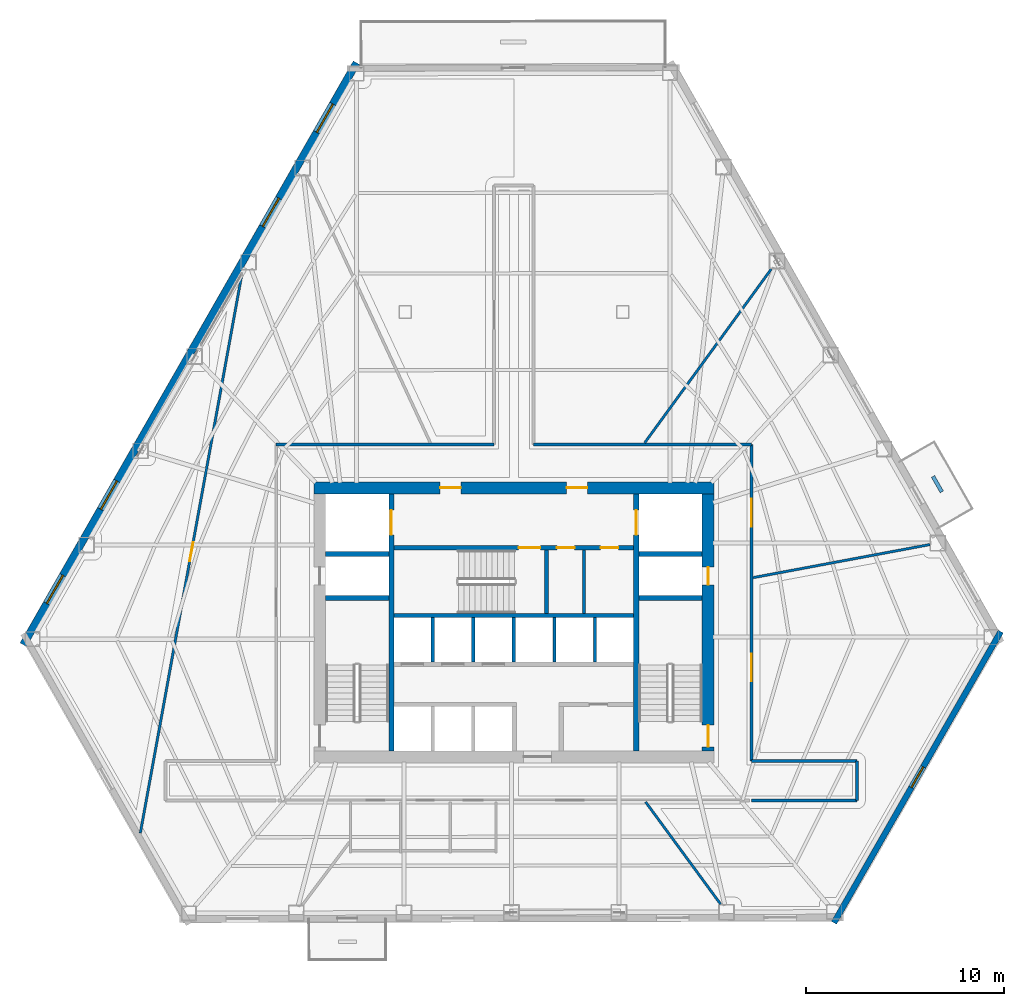
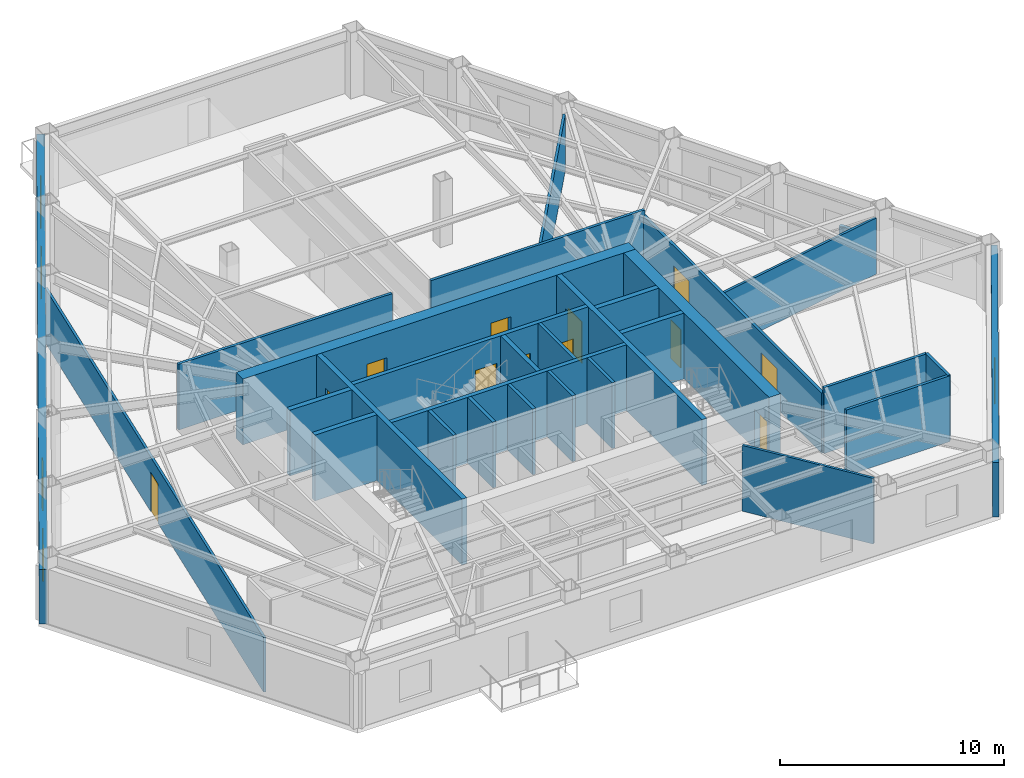
# One storey, part 9 of 14: 30 walls, 12 doors, 5 windows, 17 openings.
"""IFC4 building model written with IfcOpenShell, lengths in metres."""

from ifc_helpers import new_model, si_unit, direction, frame, frame_2d, origin, place, context, subcontext, project, spatial, rectangle, extrude, material, layer, layer_set, type_object, element, fill, save


model = new_model("IFC4")

# Units and contexts
model_context = context("Model", 3, precision=1e-05, world=origin(), true_north=direction((0.0, 1.0)))
body_context = subcontext(model_context, "Body", "Model", "MODEL_VIEW")
ifc_project = project(units=[si_unit("LENGTHUNIT", "METRE"), si_unit("AREAUNIT", "SQUARE_METRE"), si_unit("VOLUMEUNIT", "CUBIC_METRE"), si_unit("PLANEANGLEUNIT", "RADIAN"), si_unit("MASSUNIT", "GRAM", prefix="KILO")], contexts=[model_context])

# Site, building, storey
site_placement = place(None, origin())
site = spatial("IfcSite", under=ifc_project, at=site_placement, CompositionType="ELEMENT")
building_placement = place(site_placement, origin())
building = spatial("IfcBuilding", under=site, at=building_placement, Name="Kavelnor Concourse Tower", CompositionType="ELEMENT")
storey_placement = place(building_placement, frame((0.0, 0.0, 17.550048828125)))
storey = spatial("IfcBuildingStorey", under=building, at=storey_placement, Name="L04", CompositionType="ELEMENT", Elevation=17.550048828125)

# Wall, openings, doors
ifc_material_1 = material(Name="Concrete C60/75", Category="concrete")
ifc_layer_1 = layer(ifc_material_1, 0.60009765625, Name="Concrete C60/75")
ifc_layer_set_1 = layer_set([ifc_layer_1], Name="Concrete C60/75")
wall_type_1 = type_object("IfcWallType", Name="WL-CORE-Z1-600", PredefinedType="SOLIDWALL", material=ifc_layer_set_1)
wall_1_placement = place(storey_placement, frame((27.8798828125, 22.89990234375, 0.0), z_axis=(0.0, 0.0, 1.0), x_axis=(1.0, 0.0, 0.0)))
wall_1 = element("IfcWall", 1, at=wall_1_placement, inside=storey, type_object=wall_type_1, Name="L04 Central Core North Shear Wall", PredefinedType="SOLIDWALL", context=body_context, shape_type="SweptSolid", body=[
    extrude(rectangle(XDim=20.240234375, YDim=0.60009765625, at=frame_2d((10.1201171875, 0.0))), origin(), (0.0, 0.0, 1.0), 3.58984375),
])
opening_1_placement = place(wall_1_placement, frame((6.39501953125, 0.0, 0.0)))
opening_1 = element("IfcOpeningElement", 2, at=opening_1_placement, cuts=wall_1, Name="Opening FD-105", PredefinedType="OPENING", context=body_context, shape_type="SweptSolid", body=[
    extrude(rectangle(XDim=1.050048828125, YDim=2.14990234375, at=frame_2d((0.52490234375, 1.074951171875))), frame((0.0, 0.31005859375, 0.0), z_axis=(0.0, -1.0, 0.0), x_axis=(1.0, 0.0, 0.0)), (0.0, 0.0, 1.0), 0.6201171875),
])
opening_2_placement = place(wall_1_placement, frame((12.794921875, 0.0, 0.0)))
opening_2 = element("IfcOpeningElement", 3, at=opening_2_placement, cuts=wall_1, Name="Opening FD-105", PredefinedType="OPENING", context=body_context, shape_type="SweptSolid", body=[
    extrude(rectangle(XDim=1.050048828125, YDim=2.14990234375, at=frame_2d((0.52490234375, 1.074951171875))), frame((0.0, 0.31005859375, 0.0), z_axis=(0.0, -1.0, 0.0), x_axis=(1.0, 0.0, 0.0)), (0.0, 0.0, 1.0), 0.6201171875),
])
ifc_material_2 = material(Name="Steel Grade 350", Category="steel")
door_type_1 = type_object("IfcDoorType", Name="DR-LOBBY-FIRE-1050", OperationType="NOTDEFINED", PredefinedType="DOOR", material=ifc_material_2)
door_1_placement = place(opening_1_placement, origin())
door_1 = element("IfcDoor", 4, at=door_1_placement, inside=storey, type_object=door_type_1, Name="L04 Emergency Lift Lobby West Door", OperationType="SINGLE_SWING_LEFT", OverallHeight=2.14990234375, OverallWidth=1.050048828125, PredefinedType="DOOR", context=body_context, shape_type="SweptSolid", body=[
    extrude(rectangle(XDim=1.050048828125, YDim=2.14990234375, at=frame_2d((0.52490234375, 1.074951171875))), frame((0.0, 0.02490234375, 0.0), z_axis=(0.0, -1.0, 0.0), x_axis=(1.0, 0.0, 0.0)), (0.0, 0.0, 1.0), 0.050048828125),
])
fill(opening_1, door_1)
door_2_placement = place(opening_2_placement, origin())
door_2 = element("IfcDoor", 5, at=door_2_placement, inside=storey, type_object=door_type_1, Name="L04 Emergency Lift Lobby East Door", OperationType="SINGLE_SWING_RIGHT", OverallHeight=2.14990234375, OverallWidth=1.050048828125, PredefinedType="DOOR", context=body_context, shape_type="SweptSolid", body=[
    extrude(rectangle(XDim=1.050048828125, YDim=2.14990234375, at=frame_2d((0.52490234375, 1.074951171875))), frame((0.0, 0.02490234375, 0.0), z_axis=(0.0, -1.0, 0.0), x_axis=(1.0, 0.0, 0.0)), (0.0, 0.0, 1.0), 0.050048828125),
])
fill(opening_2, door_2)

wall_2_placement = place(storey_placement, frame((47.820068359375, 9.60009765625, 0.0), z_axis=(0.0, 0.0, 1.0), x_axis=(0.0, 1.0, 0.0)))
wall_2 = element("IfcWall", 6, at=wall_2_placement, inside=storey, type_object=wall_type_1, Name="L04 Central Core East Shear Wall", PredefinedType="SOLIDWALL", context=body_context, shape_type="SweptSolid", body=[
    extrude(rectangle(XDim=13.0, YDim=0.60009765625, at=frame_2d((6.5, 0.0))), origin(), (0.0, 0.0, 1.0), 3.58984375),
])
opening_3_placement = place(wall_2_placement, frame((0.199951171875, 0.0, 0.0)))
opening_3 = element("IfcOpeningElement", 7, at=opening_3_placement, cuts=wall_2, Name="Opening FD-110", PredefinedType="OPENING", context=body_context, shape_type="SweptSolid", body=[
    extrude(rectangle(XDim=1.10009765625, YDim=2.14990234375, at=frame_2d((0.550048828125, 1.074951171875))), frame((0.0, 0.31005859375, 0.0), z_axis=(0.0, -1.0, 0.0), x_axis=(1.0, 0.0, 0.0)), (0.0, 0.0, 1.0), 0.6201171875),
])
opening_4_placement = place(wall_2_placement, frame((8.39990234375, 0.0, 0.0)))
opening_4 = element("IfcOpeningElement", 8, at=opening_4_placement, cuts=wall_2, Name="Opening FD-090", PredefinedType="OPENING", context=body_context, shape_type="SweptSolid", body=[
    extrude(rectangle(XDim=0.89990234375, YDim=2.10009765625, at=frame_2d((0.449951171875, 1.050048828125))), frame((0.0, 0.31005859375, 0.0), z_axis=(0.0, -1.0, 0.0), x_axis=(1.0, 0.0, 0.0)), (0.0, 0.0, 1.0), 0.6201171875),
])
door_type_2 = type_object("IfcDoorType", Name="DR-RISER-FIRE-900", OperationType="NOTDEFINED", PredefinedType="DOOR", material=ifc_material_2)
door_3_placement = place(opening_4_placement, origin())
door_3 = element("IfcDoor", 9, at=door_3_placement, inside=storey, type_object=door_type_2, Name="L04 East Riser Access Door", OperationType="SINGLE_SWING_LEFT", OverallHeight=2.10009765625, OverallWidth=0.89990234375, PredefinedType="DOOR", context=body_context, shape_type="SweptSolid", body=[
    extrude(rectangle(XDim=0.89990234375, YDim=2.10009765625, at=frame_2d((0.449951171875, 1.050048828125))), frame((0.0, 0.02490234375, 0.0), z_axis=(0.0, -1.0, 0.0), x_axis=(1.0, 0.0, 0.0)), (0.0, 0.0, 1.0), 0.050048828125),
])
fill(opening_4, door_3)
door_type_3 = type_object("IfcDoorType", Name="DR-STAIR-FIRE-1100", OperationType="NOTDEFINED", PredefinedType="DOOR", material=ifc_material_2)
door_4_placement = place(opening_3_placement, origin())
door_4 = element("IfcDoor", 10, at=door_4_placement, inside=storey, type_object=door_type_3, Name="L04 Stair ST2 Fire Door", OperationType="SINGLE_SWING_RIGHT", OverallHeight=2.14990234375, OverallWidth=1.10009765625, PredefinedType="DOOR", context=body_context, shape_type="SweptSolid", body=[
    extrude(rectangle(XDim=1.10009765625, YDim=2.14990234375, at=frame_2d((0.550048828125, 1.074951171875))), frame((0.0, 0.02490234375, 0.0), z_axis=(0.0, -1.0, 0.0), x_axis=(1.0, 0.0, 0.0)), (0.0, 0.0, 1.0), 0.050048828125),
])
fill(opening_3, door_4)

# Wall, opening, window
ifc_material_3 = material(Name="Buff ironspot clay face brick masonry", Category="masonry")
ifc_layer_2 = layer(ifc_material_3, 0.300048828125, Name="Buff ironspot clay face brick masonry")
ifc_layer_set_2 = layer_set([ifc_layer_2], Name="Buff ironspot clay face brick masonry")
wall_type_2 = type_object("IfcWallType", Name="WL-EXT-BUFF-BRICK-FOLD-300", PredefinedType="STANDARD", material=ifc_layer_set_2)
wall_3_placement = place(storey_placement, frame((62.6259765625, 15.636962890625, 0.0), z_axis=(0.0, 0.0, 1.0), x_axis=(-0.497024785752, -0.867736343798, 0.0)))
wall_3 = element("IfcWall", 11, at=wall_3_placement, inside=storey, type_object=wall_type_2, Name="L04 Exterior Brick Facade Wall E4", PredefinedType="STANDARD", context=body_context, shape_type="SweptSolid", body=[
    extrude(rectangle(XDim=16.97216796875, YDim=0.300048828125, at=frame_2d((8.486083984375, 0.0))), origin(), (0.0, 0.0, 1.0), 2.969970703125),
])
opening_5_placement = place(wall_3_placement, frame((7.885986328125, 0.0, 0.64990234375)))
opening_5 = element("IfcOpeningElement", 12, at=opening_5_placement, cuts=wall_3, Name="Opening W-05", PredefinedType="OPENING", context=body_context, shape_type="SweptSolid", body=[
    extrude(rectangle(XDim=1.199951171875, YDim=1.699951171875, at=frame_2d((0.60009765625, 0.85009765625))), frame((0.0, 0.16015625, 0.0), z_axis=(0.0, -1.0, 0.0), x_axis=(1.0, 0.0, 0.0)), (0.0, 0.0, 1.0), 0.320068359375),
])
ifc_material_4 = material(Name="Double low-E argon insulated glazing", Category="glass")
window_type_1 = type_object("IfcWindowType", Name="WIN-FOLD-1200", PartitioningType="SINGLE_PANEL", PredefinedType="WINDOW", material=ifc_material_4)
window_1_placement = place(opening_5_placement, origin())
window_1 = element("IfcWindow", 13, at=window_1_placement, inside=storey, type_object=window_type_1, Name="L04 Chamfer-Fold Facet Window C2", OverallHeight=1.699951171875, OverallWidth=1.199951171875, PartitioningType="SINGLE_PANEL", PredefinedType="WINDOW", context=body_context, shape_type="SweptSolid", body=[
    extrude(rectangle(XDim=1.199951171875, YDim=1.699951171875, at=frame_2d((0.60009765625, 0.85009765625))), frame((0.0, 0.030029296875, 0.0), z_axis=(0.0, -1.0, 0.0), x_axis=(1.0, 0.0, 0.0)), (0.0, 0.0, 1.0), 0.06005859375),
])
fill(opening_5, window_1)

# Wall, openings, windows
ifc_material_5 = material(Name="Red-ochre clay face brick masonry", Category="masonry")
ifc_layer_3 = layer(ifc_material_5, 0.3798828125, Name="Red-ochre clay face brick masonry")
ifc_layer_set_3 = layer_set([ifc_layer_3], Name="Red-ochre clay face brick masonry")
wall_type_3 = type_object("IfcWallType", Name="WL-EXT-RED-BRICK-PIER-380", PredefinedType="STANDARD", material=ifc_layer_set_3)
wall_4_placement = place(storey_placement, frame((13.18701171875, 14.97314453125, 0.0), z_axis=(0.0, 0.0, 1.0), x_axis=(0.497033240721, 0.867731500879, 0.0)))
wall_4 = element("IfcWall", 14, at=wall_4_placement, inside=storey, type_object=wall_type_3, Name="L04 Exterior Brick Facade Wall E1", PredefinedType="STANDARD", context=body_context, shape_type="SweptSolid", body=[
    extrude(rectangle(XDim=33.9169921875, YDim=0.3798828125, at=frame_2d((16.95849609375, 0.0))), origin(), (0.0, 0.0, 1.0), 2.969970703125),
])
opening_6_placement = place(wall_4_placement, frame((29.8671875, 0.0, 0.64990234375)))
opening_6 = element("IfcOpeningElement", 15, at=opening_6_placement, cuts=wall_4, Name="Opening W-01", PredefinedType="OPENING", context=body_context, shape_type="SweptSolid", body=[
    extrude(rectangle(XDim=1.64990234375, YDim=1.75, at=frame_2d((0.824951171875, 0.875))), frame((0.0, 0.199951171875, 0.0), z_axis=(0.0, -1.0, 0.0), x_axis=(1.0, 0.0, 0.0)), (0.0, 0.0, 1.0), 0.39990234375),
])
opening_7_placement = place(wall_4_placement, frame((24.373046875, 0.0, 0.64990234375)))
opening_7 = element("IfcOpeningElement", 16, at=opening_7_placement, cuts=wall_4, Name="Opening W-01", PredefinedType="OPENING", context=body_context, shape_type="SweptSolid", body=[
    extrude(rectangle(XDim=1.64990234375, YDim=1.75, at=frame_2d((0.824951171875, 0.875))), frame((0.0, 0.199951171875, 0.0), z_axis=(0.0, -1.0, 0.0), x_axis=(1.0, 0.0, 0.0)), (0.0, 0.0, 1.0), 0.39990234375),
])
opening_8_placement = place(wall_4_placement, frame((7.890380859375, 0.0, 0.64990234375)))
opening_8 = element("IfcOpeningElement", 17, at=opening_8_placement, cuts=wall_4, Name="Opening W-01", PredefinedType="OPENING", context=body_context, shape_type="SweptSolid", body=[
    extrude(rectangle(XDim=1.64990234375, YDim=1.75, at=frame_2d((0.824951171875, 0.875))), frame((0.0, 0.199951171875, 0.0), z_axis=(0.0, -1.0, 0.0), x_axis=(1.0, 0.0, 0.0)), (0.0, 0.0, 1.0), 0.39990234375),
])
opening_9_placement = place(wall_4_placement, frame((2.396240234375, 0.0, 0.64990234375)))
opening_9 = element("IfcOpeningElement", 18, at=opening_9_placement, cuts=wall_4, Name="Opening W-01", PredefinedType="OPENING", context=body_context, shape_type="SweptSolid", body=[
    extrude(rectangle(XDim=1.64990234375, YDim=1.75, at=frame_2d((0.824951171875, 0.875))), frame((0.0, 0.199951171875, 0.0), z_axis=(0.0, -1.0, 0.0), x_axis=(1.0, 0.0, 0.0)), (0.0, 0.0, 1.0), 0.39990234375),
])
window_type_2 = type_object("IfcWindowType", Name="WIN-PIER-Z1-1800", PartitioningType="SINGLE_PANEL", PredefinedType="WINDOW", material=ifc_material_4)
window_2_placement = place(opening_6_placement, origin())
window_2 = element("IfcWindow", 19, at=window_2_placement, inside=storey, type_object=window_type_2, Name="L04 Deep-Set Brick Pier Window F0-B0", OverallHeight=1.75, OverallWidth=1.64990234375, PartitioningType="SINGLE_PANEL", PredefinedType="WINDOW", context=body_context, shape_type="SweptSolid", body=[
    extrude(rectangle(XDim=1.64990234375, YDim=1.75, at=frame_2d((0.824951171875, 0.875))), frame((0.0, 0.030029296875, 0.0), z_axis=(0.0, -1.0, 0.0), x_axis=(1.0, 0.0, 0.0)), (0.0, 0.0, 1.0), 0.06005859375),
])
fill(opening_6, window_2)
window_3_placement = place(opening_7_placement, origin())
window_3 = element("IfcWindow", 20, at=window_3_placement, inside=storey, type_object=window_type_2, Name="L04 Deep-Set Brick Pier Window F0-B1", OverallHeight=1.75, OverallWidth=1.64990234375, PartitioningType="SINGLE_PANEL", PredefinedType="WINDOW", context=body_context, shape_type="SweptSolid", body=[
    extrude(rectangle(XDim=1.64990234375, YDim=1.75, at=frame_2d((0.824951171875, 0.875))), frame((0.0, 0.030029296875, 0.0), z_axis=(0.0, -1.0, 0.0), x_axis=(1.0, 0.0, 0.0)), (0.0, 0.0, 1.0), 0.06005859375),
])
fill(opening_7, window_3)
window_4_placement = place(opening_8_placement, origin())
window_4 = element("IfcWindow", 21, at=window_4_placement, inside=storey, type_object=window_type_2, Name="L04 Deep-Set Brick Pier Window F0-B4", OverallHeight=1.75, OverallWidth=1.64990234375, PartitioningType="SINGLE_PANEL", PredefinedType="WINDOW", context=body_context, shape_type="SweptSolid", body=[
    extrude(rectangle(XDim=1.64990234375, YDim=1.75, at=frame_2d((0.824951171875, 0.875))), frame((0.0, 0.030029296875, 0.0), z_axis=(0.0, -1.0, 0.0), x_axis=(1.0, 0.0, 0.0)), (0.0, 0.0, 1.0), 0.06005859375),
])
fill(opening_8, window_4)
window_5_placement = place(opening_9_placement, origin())
window_5 = element("IfcWindow", 22, at=window_5_placement, inside=storey, type_object=window_type_2, Name="L04 Deep-Set Brick Pier Window F0-B5", OverallHeight=1.75, OverallWidth=1.64990234375, PartitioningType="SINGLE_PANEL", PredefinedType="WINDOW", context=body_context, shape_type="SweptSolid", body=[
    extrude(rectangle(XDim=1.64990234375, YDim=1.75, at=frame_2d((0.824951171875, 0.875))), frame((0.0, 0.030029296875, 0.0), z_axis=(0.0, -1.0, 0.0), x_axis=(1.0, 0.0, 0.0)), (0.0, 0.0, 1.0), 0.06005859375),
])
fill(opening_9, window_5)

# Walls
ifc_material_6 = material(Name="Gypsum plasterboard on light-gauge steel studs", Category="steel")
ifc_layer_4 = layer(ifc_material_6, 0.14501953125, Name="Gypsum plasterboard on light-gauge steel studs")
ifc_layer_set_4 = layer_set([ifc_layer_4], Name="Gypsum plasterboard on light-gauge steel studs")
wall_type_4 = type_object("IfcWallType", Name="WL-INT-CORR-145", PredefinedType="PARTITIONING", material=ifc_layer_set_4)
for number, where, z_axis, x_axis, name in (
    (23, (25.97998046875, 25.10009765625, 0.0), (0.0, 0.0, 1.0), (1.0, 0.0, 0.0), "L04 Corridor Wall WL-L04-CR-03"),
    (24, (39.0, 25.10009765625, 0.0), (0.0, 0.0, 1.0), (1.0, 0.0, 0.0), "L04 Corridor Wall WL-L04-CR-07"),
):
    element("IfcWall", number, at=place(storey_placement, frame(where, z_axis=z_axis, x_axis=x_axis)), inside=storey, type_object=wall_type_4, Name=name, PredefinedType="PARTITIONING", context=body_context, shape_type="SweptSolid", body=[
        extrude(rectangle(XDim=11.02001953125, YDim=0.14501953125, at=frame_2d((5.510009765625, 0.0))), origin(), (0.0, 0.0, 1.0), 3.58984375),
    ])

# Wall, openings, doors
wall_5_placement = place(storey_placement, frame((50.02001953125, 25.10009765625, 0.0), z_axis=(0.0, 0.0, 1.0), x_axis=(0.0, -1.0, 0.0)))
wall_5 = element("IfcWall", 25, at=wall_5_placement, inside=storey, type_object=wall_type_4, Name="L04 Corridor Wall WL-L04-CR-08", PredefinedType="PARTITIONING", context=body_context, shape_type="SweptSolid", body=[
    extrude(rectangle(XDim=16.0, YDim=0.14501953125, at=frame_2d((8.0, 0.0))), origin(), (0.0, 0.0, 1.0), 3.27783203125),
])
opening_10_placement = place(wall_5_placement, frame((2.752197265625, 0.0, 0.0)))
opening_10 = element("IfcOpeningElement", 26, at=opening_10_placement, cuts=wall_5, Name="Opening SD-140", PredefinedType="OPENING", context=body_context, shape_type="SweptSolid", body=[
    extrude(rectangle(XDim=1.39990234375, YDim=2.199951171875, at=frame_2d((0.699951171875, 1.10009765625))), frame((0.0, 0.08251953125, 0.0), z_axis=(0.0, -1.0, 0.0), x_axis=(1.0, 0.0, 0.0)), (0.0, 0.0, 1.0), 0.1650390625),
])
opening_11_placement = place(wall_5_placement, frame((10.582275390625, 0.0, 0.0)))
opening_11 = element("IfcOpeningElement", 27, at=opening_11_placement, cuts=wall_5, Name="Opening SD-140", PredefinedType="OPENING", context=body_context, shape_type="SweptSolid", body=[
    extrude(rectangle(XDim=1.39990234375, YDim=2.199951171875, at=frame_2d((0.699951171875, 1.10009765625))), frame((0.0, 0.08251953125, 0.0), z_axis=(0.0, -1.0, 0.0), x_axis=(1.0, 0.0, 0.0)), (0.0, 0.0, 1.0), 0.1650390625),
])
ifc_material_7 = material(Name="Solid-core hardwood timber", Category="wood")
door_type_4 = type_object("IfcDoorType", Name="DR-SUITE-ENTRY-1400", OperationType="NOTDEFINED", PredefinedType="DOOR", material=ifc_material_7)
door_5_placement = place(opening_10_placement, origin())
door_5 = element("IfcDoor", 28, at=door_5_placement, inside=storey, type_object=door_type_4, Name="L04 Executive Dining Room 01 Door", OperationType="SINGLE_SWING_RIGHT", OverallHeight=2.199951171875, OverallWidth=1.39990234375, PredefinedType="DOOR", context=body_context, shape_type="SweptSolid", body=[
    extrude(rectangle(XDim=1.39990234375, YDim=2.199951171875, at=frame_2d((0.699951171875, 1.10009765625))), frame((0.0, 0.02490234375, 0.0), z_axis=(0.0, -1.0, 0.0), x_axis=(1.0, 0.0, 0.0)), (0.0, 0.0, 1.0), 0.050048828125),
])
fill(opening_10, door_5)
door_6_placement = place(opening_11_placement, origin())
door_6 = element("IfcDoor", 29, at=door_6_placement, inside=storey, type_object=door_type_4, Name="L04 Executive Dining Room 06 Door", OperationType="SINGLE_SWING_LEFT", OverallHeight=2.199951171875, OverallWidth=1.39990234375, PredefinedType="DOOR", context=body_context, shape_type="SweptSolid", body=[
    extrude(rectangle(XDim=1.39990234375, YDim=2.199951171875, at=frame_2d((0.699951171875, 1.10009765625))), frame((0.0, 0.02490234375, 0.0), z_axis=(0.0, -1.0, 0.0), x_axis=(1.0, 0.0, 0.0)), (0.0, 0.0, 1.0), 0.050048828125),
])
fill(opening_11, door_6)

# Walls
wall_6_placement = place(storey_placement, frame((50.02001953125, 9.10009765625, 0.0), z_axis=(0.0, 0.0, 1.0), x_axis=(1.0, 0.0, 0.0)))
element("IfcWall", 30, at=wall_6_placement, inside=storey, type_object=wall_type_4, Name="L04 Corridor Wall WL-L04-CR-09", PredefinedType="PARTITIONING", context=body_context, shape_type="SweptSolid", body=[
    extrude(rectangle(XDim=5.335205078125, YDim=0.14501953125, at=frame_2d((2.66748046875, 0.0))), origin(), (0.0, 0.0, 1.0), 3.58984375),
])
wall_7_placement = place(storey_placement, frame((55.355224609375, 9.10009765625, 0.0), z_axis=(0.0, 0.0, 1.0), x_axis=(0.0, -1.0, 0.0)))
element("IfcWall", 31, at=wall_7_placement, inside=storey, type_object=wall_type_4, Name="L04 Corridor Wall WL-L04-CR-10", PredefinedType="PARTITIONING", context=body_context, shape_type="SweptSolid", body=[
    extrude(rectangle(XDim=2.0, YDim=0.14501953125, at=frame_2d((1.0, 0.0))), origin(), (0.0, 0.0, 1.0), 3.58984375),
])
wall_8_placement = place(storey_placement, frame((55.355224609375, 7.10009765625, 0.0), z_axis=(0.0, 0.0, 1.0), x_axis=(-1.0, 0.0, 0.0)))
element("IfcWall", 32, at=wall_8_placement, inside=storey, type_object=wall_type_4, Name="L04 Corridor Wall WL-L04-CR-11", PredefinedType="PARTITIONING", context=body_context, shape_type="SweptSolid", body=[
    extrude(rectangle(XDim=5.335205078125, YDim=0.14501953125, at=frame_2d((2.66748046875, 0.0))), origin(), (0.0, 0.0, 1.0), 3.58984375),
])
ifc_layer_5 = layer(ifc_material_6, 0.1650390625, Name="Gypsum plasterboard on light-gauge steel studs")
ifc_layer_set_5 = layer_set([ifc_layer_5], Name="Gypsum plasterboard on light-gauge steel studs")
wall_type_5 = type_object("IfcWallType", Name="WL-INT-FIRE-165", PredefinedType="PARTITIONING", material=ifc_layer_set_5)
for number, where, z_axis, x_axis, name in (
    (33, (33.89990234375, 14.10009765625, 0.0), (0.0, 0.0, 1.0), (0.0, 1.0, 0.0), "L04 Lift Shaft Divider LP1"),
    (34, (35.949951171875, 14.10009765625, 0.0), (0.0, 0.0, 1.0), (0.0, 1.0, 0.0), "L04 Lift Shaft Divider LP2"),
    (35, (38.0, 14.10009765625, 0.0), (0.0, 0.0, 1.0), (0.0, 1.0, 0.0), "L04 Lift Shaft Divider LP3"),
    (36, (40.050048828125, 14.10009765625, 0.0), (0.0, 0.0, 1.0), (0.0, 1.0, 0.0), "L04 Lift Shaft Divider LP4"),
    (37, (42.10009765625, 14.10009765625, 0.0), (0.0, 0.0, 1.0), (0.0, 1.0, 0.0), "L04 Lift Shaft Divider LP5"),
):
    element("IfcWall", number, at=place(storey_placement, frame(where, z_axis=z_axis, x_axis=x_axis)), inside=storey, type_object=wall_type_5, Name=name, PredefinedType="PARTITIONING", context=body_context, shape_type="SweptSolid", body=[
        extrude(rectangle(XDim=2.239990234375, YDim=0.1650390625, at=frame_2d((1.1201171875, 0.0))), origin(), (0.0, 0.0, 1.0), 3.58984375),
    ])
wall_9_placement = place(storey_placement, frame((41.550048828125, 16.56005859375, 0.0), z_axis=(0.0, 0.0, 1.0), x_axis=(0.0, 1.0, 0.0)))
element("IfcWall", 38, at=wall_9_placement, inside=storey, type_object=wall_type_5, Name="L04 Core North Support Divider", PredefinedType="PARTITIONING", context=body_context, shape_type="SweptSolid", body=[
    extrude(rectangle(XDim=3.199951171875, YDim=0.1650390625, at=frame_2d((1.60009765625, 0.0))), origin(), (0.0, 0.0, 1.0), 3.58984375),
])
ifc_layer_6 = layer(ifc_material_6, 0.125, Name="Gypsum plasterboard on light-gauge steel studs")
ifc_layer_set_6 = layer_set([ifc_layer_6], Name="Gypsum plasterboard on light-gauge steel studs")
wall_type_6 = type_object("IfcWallType", Name="WL-INT-SUITE-125", PredefinedType="PARTITIONING", material=ifc_layer_set_6)
wall_10_placement = place(storey_placement, frame((50.1005859375, 18.365234375, 0.0), z_axis=(0.0, 0.0, 1.0), x_axis=(0.982930498742, 0.183977266646, 0.0)))
element("IfcWall", 39, at=wall_10_placement, inside=storey, type_object=wall_type_6, Name="L04 Radial Suite Partition 01", PredefinedType="PARTITIONING", context=body_context, shape_type="SweptSolid", body=[
    extrude(rectangle(XDim=9.0927734375, YDim=0.125, at=frame_2d((4.54638671875, 0.0))), origin(), (0.0, 0.0, 1.0), 3.056884765625),
])
wall_11_placement = place(storey_placement, frame((44.614990234375, 25.180419921875, 0.0), z_axis=(0.0, 0.0, 1.0), x_axis=(0.588797479065, 0.808280600192, 0.0)))
element("IfcWall", 40, at=wall_11_placement, inside=storey, type_object=wall_type_6, Name="L04 Radial Suite Partition 02", PredefinedType="PARTITIONING", context=body_context, shape_type="SweptSolid", body=[
    extrude(rectangle(XDim=10.87646484375, YDim=0.125, at=frame_2d((5.438232421875, 0.0))), origin(), (0.0, 0.0, 1.0), 3.056884765625),
])
wall_12_placement = place(storey_placement, frame((44.6640625, 7.01953125, 0.0), z_axis=(0.0, 0.0, 1.0), x_axis=(0.591651081468, -0.806194143986, 0.0)))
element("IfcWall", 41, at=wall_12_placement, inside=storey, type_object=wall_type_6, Name="L04 Radial Suite Partition 05", PredefinedType="PARTITIONING", context=body_context, shape_type="SweptSolid", body=[
    extrude(rectangle(XDim=6.40673828125, YDim=0.125, at=frame_2d((3.203369140625, 0.0))), origin(), (0.0, 0.0, 1.0), 3.58984375),
])

# Wall, opening, door
wall_13_placement = place(storey_placement, frame((24.279052734375, 33.912353515625, 0.0), z_axis=(0.0, 0.0, 1.0), x_axis=(-0.178708717874, -0.983902024673, 0.0)))
wall_13 = element("IfcWall", 42, at=wall_13_placement, inside=storey, type_object=wall_type_6, Name="L04 Suite Subdivision Partition 03", PredefinedType="PARTITIONING", context=body_context, shape_type="SweptSolid", body=[
    extrude(rectangle(XDim=28.934814453125, YDim=0.125, at=frame_2d((14.46728515625, 0.0))), origin(), (0.0, 0.0, 1.0), 2.972900390625),
])
opening_12_placement = place(wall_13_placement, frame((13.9775390625, 0.0, 0.0)))
opening_12 = element("IfcOpeningElement", 43, at=opening_12_placement, cuts=wall_13, Name="Opening OD-098", PredefinedType="OPENING", context=body_context, shape_type="SweptSolid", body=[
    extrude(rectangle(XDim=0.97998046875, YDim=2.14990234375, at=frame_2d((0.489990234375, 1.074951171875))), frame((0.0, 0.072509765625, 0.0), z_axis=(0.0, -1.0, 0.0), x_axis=(1.0, 0.0, 0.0)), (0.0, 0.0, 1.0), 0.14501953125),
])
door_type_5 = type_object("IfcDoorType", Name="DR-OFFICE-980", OperationType="NOTDEFINED", PredefinedType="DOOR", material=ifc_material_7)
door_7_placement = place(opening_12_placement, origin())
door_7 = element("IfcDoor", 44, at=door_7_placement, inside=storey, type_object=door_type_5, Name="L04 Executive Dining Room 04 Door", OperationType="SINGLE_SWING_LEFT", OverallHeight=2.14990234375, OverallWidth=0.97998046875, PredefinedType="DOOR", context=body_context, shape_type="SweptSolid", body=[
    extrude(rectangle(XDim=0.97998046875, YDim=2.14990234375, at=frame_2d((0.489990234375, 1.074951171875))), frame((0.0, 0.02490234375, 0.0), z_axis=(0.0, -1.0, 0.0), x_axis=(1.0, 0.0, 0.0)), (0.0, 0.0, 1.0), 0.050048828125),
])
fill(opening_12, door_7)

# Wall
ifc_material_8 = material(Name="Architectural precast planter concrete C40/50", Category="concrete")
ifc_layer_7 = layer(ifc_material_8, 0.18994140625, Name="Architectural precast planter concrete C40/50")
ifc_layer_set_7 = layer_set([ifc_layer_7], Name="Architectural precast planter concrete C40/50")
wall_type_7 = type_object("IfcWallType", Name="WL-PLANTER-KERB-190", PredefinedType="USERDEFINED", material=ifc_layer_set_7)
wall_14_placement = place(storey_placement, frame((59.645263671875, 22.70361328125, 0.0), z_axis=(0.0, 0.0, 1.0), x_axis=(-0.495057669293, 0.868860117668, 0.0)))
element("IfcWall", 45, at=wall_14_placement, inside=storey, type_object=wall_type_7, Name="L04 Tree Balcony 2 Tree Planter Kerb", ObjectType="PLANTER", PredefinedType="USERDEFINED", context=body_context, shape_type="SweptSolid", body=[
    extrude(rectangle(XDim=0.89990234375, YDim=0.18994140625, at=frame_2d((0.449951171875, 0.0))), origin(), (0.0, 0.0, 1.0), 0.5),
])

# Wall, openings, doors
ifc_material_9 = material(Name="Concrete C50/60", Category="concrete")
ifc_layer_8 = layer(ifc_material_9, 0.219970703125, Name="Concrete C50/60")
ifc_layer_set_8 = layer_set([ifc_layer_8], Name="Concrete C50/60")
wall_type_8 = type_object("IfcWallType", Name="WL-SHAFT-220", PredefinedType="SOLIDWALL", material=ifc_layer_set_8)
wall_15_placement = place(storey_placement, frame((31.93994140625, 19.8701171875, 0.0), z_axis=(0.0, 0.0, 1.0), x_axis=(1.0, 0.0, 0.0)))
wall_15 = element("IfcWall", 46, at=wall_15_placement, inside=storey, type_object=wall_type_8, Name="L04 Emergency Lift Lobby South Wall", PredefinedType="SOLIDWALL", context=body_context, shape_type="SweptSolid", body=[
    extrude(rectangle(XDim=12.1201171875, YDim=0.219970703125, at=frame_2d((6.06005859375, 0.0))), origin(), (0.0, 0.0, 1.0), 3.58984375),
])
opening_13_placement = place(wall_15_placement, frame((6.300048828125, 0.0, 0.0)))
opening_13 = element("IfcOpeningElement", 47, at=opening_13_placement, cuts=wall_15, Name="Opening FD-110", PredefinedType="OPENING", context=body_context, shape_type="SweptSolid", body=[
    extrude(rectangle(XDim=1.10009765625, YDim=2.14990234375, at=frame_2d((0.550048828125, 1.074951171875))), frame((0.0, 0.1201171875, 0.0), z_axis=(0.0, -1.0, 0.0), x_axis=(1.0, 0.0, 0.0)), (0.0, 0.0, 1.0), 0.239990234375),
])
opening_14_placement = place(wall_15_placement, frame((8.22998046875, 0.0, 0.0)))
opening_14 = element("IfcOpeningElement", 48, at=opening_14_placement, cuts=wall_15, Name="Opening FD-090", PredefinedType="OPENING", context=body_context, shape_type="SweptSolid", body=[
    extrude(rectangle(XDim=0.89990234375, YDim=2.10009765625, at=frame_2d((0.449951171875, 1.050048828125))), frame((0.0, 0.1201171875, 0.0), z_axis=(0.0, -1.0, 0.0), x_axis=(1.0, 0.0, 0.0)), (0.0, 0.0, 1.0), 0.239990234375),
])
opening_15_placement = place(wall_15_placement, frame((10.449951171875, 0.0, 0.0)))
opening_15 = element("IfcOpeningElement", 49, at=opening_15_placement, cuts=wall_15, Name="Opening FD-090", PredefinedType="OPENING", context=body_context, shape_type="SweptSolid", body=[
    extrude(rectangle(XDim=0.89990234375, YDim=2.10009765625, at=frame_2d((0.449951171875, 1.050048828125))), frame((0.0, 0.1201171875, 0.0), z_axis=(0.0, -1.0, 0.0), x_axis=(1.0, 0.0, 0.0)), (0.0, 0.0, 1.0), 0.239990234375),
])
door_8_placement = place(opening_14_placement, origin())
door_8 = element("IfcDoor", 50, at=door_8_placement, inside=storey, type_object=door_type_2, Name="L04 Telecom Room Door", OperationType="SINGLE_SWING_LEFT", OverallHeight=2.10009765625, OverallWidth=0.89990234375, PredefinedType="DOOR", context=body_context, shape_type="SweptSolid", body=[
    extrude(rectangle(XDim=0.89990234375, YDim=2.10009765625, at=frame_2d((0.449951171875, 1.050048828125))), frame((0.0, 0.02490234375, 0.0), z_axis=(0.0, -1.0, 0.0), x_axis=(1.0, 0.0, 0.0)), (0.0, 0.0, 1.0), 0.050048828125),
])
fill(opening_14, door_8)
door_9_placement = place(opening_15_placement, origin())
door_9 = element("IfcDoor", 51, at=door_9_placement, inside=storey, type_object=door_type_2, Name="L04 Janitor Store Door", OperationType="SINGLE_SWING_RIGHT", OverallHeight=2.10009765625, OverallWidth=0.89990234375, PredefinedType="DOOR", context=body_context, shape_type="SweptSolid", body=[
    extrude(rectangle(XDim=0.89990234375, YDim=2.10009765625, at=frame_2d((0.449951171875, 1.050048828125))), frame((0.0, 0.02490234375, 0.0), z_axis=(0.0, -1.0, 0.0), x_axis=(1.0, 0.0, 0.0)), (0.0, 0.0, 1.0), 0.050048828125),
])
fill(opening_15, door_9)
door_10_placement = place(opening_13_placement, origin())
door_10 = element("IfcDoor", 52, at=door_10_placement, inside=storey, type_object=door_type_3, Name="L04 Stair ST3 Fire Door", OperationType="SINGLE_SWING_LEFT", OverallHeight=2.14990234375, OverallWidth=1.10009765625, PredefinedType="DOOR", context=body_context, shape_type="SweptSolid", body=[
    extrude(rectangle(XDim=1.10009765625, YDim=2.14990234375, at=frame_2d((0.550048828125, 1.074951171875))), frame((0.0, 0.02490234375, 0.0), z_axis=(0.0, -1.0, 0.0), x_axis=(1.0, 0.0, 0.0)), (0.0, 0.0, 1.0), 0.050048828125),
])
fill(opening_13, door_10)

# Walls
wall_16_placement = place(storey_placement, frame((31.93994140625, 16.449951171875, 0.0), z_axis=(0.0, 0.0, 1.0), x_axis=(1.0, 0.0, 0.0)))
element("IfcWall", 53, at=wall_16_placement, inside=storey, type_object=wall_type_8, Name="L04 Stair ST3 South Core Wall", PredefinedType="SOLIDWALL", context=body_context, shape_type="SweptSolid", body=[
    extrude(rectangle(XDim=12.1201171875, YDim=0.219970703125, at=frame_2d((6.06005859375, 0.0))), origin(), (0.0, 0.0, 1.0), 3.58984375),
])
wall_17_placement = place(storey_placement, frame((39.64990234375, 16.56005859375, 0.0), z_axis=(0.0, 0.0, 1.0), x_axis=(0.0, 1.0, 0.0)))
element("IfcWall", 54, at=wall_17_placement, inside=storey, type_object=wall_type_8, Name="L04 Stair ST3 East Core Wall", PredefinedType="SOLIDWALL", context=body_context, shape_type="SweptSolid", body=[
    extrude(rectangle(XDim=3.199951171875, YDim=0.219970703125, at=frame_2d((1.60009765625, 0.0))), origin(), (0.0, 0.0, 1.0), 3.58984375),
])

# Wall, opening, door
ifc_layer_9 = layer(ifc_material_9, 0.260009765625, Name="Concrete C50/60")
ifc_layer_set_9 = layer_set([ifc_layer_9], Name="Concrete C50/60")
wall_type_9 = type_object("IfcWallType", Name="WL-SHAFT-260", PredefinedType="SHEAR", material=ifc_layer_set_9)
wall_18_placement = place(storey_placement, frame((31.81005859375, 9.60009765625, 0.0), z_axis=(0.0, 0.0, 1.0), x_axis=(0.0, 1.0, 0.0)))
wall_18 = element("IfcWall", 55, at=wall_18_placement, inside=storey, type_object=wall_type_9, Name="L04 Core West Wing Shear Wall", PredefinedType="SHEAR", context=body_context, shape_type="SweptSolid", body=[
    extrude(rectangle(XDim=13.0, YDim=0.260009765625, at=frame_2d((6.5, 0.0))), origin(), (0.0, 0.0, 1.0), 3.58984375),
])
opening_16_placement = place(wall_18_placement, frame((10.925048828125, 0.0, 0.0)))
opening_16 = element("IfcOpeningElement", 56, at=opening_16_placement, cuts=wall_18, Name="Opening LD-125", PredefinedType="OPENING", context=body_context, shape_type="SweptSolid", body=[
    extrude(rectangle(XDim=1.25, YDim=2.25, at=frame_2d((0.625, 1.125))), frame((0.0, 0.14013671875, 0.0), z_axis=(0.0, -1.0, 0.0), x_axis=(1.0, 0.0, 0.0)), (0.0, 0.0, 1.0), 0.280029296875),
])
door_type_6 = type_object("IfcDoorType", Name="DR-LIFT-SLIDING-1250", OperationType="NOTDEFINED", PredefinedType="DOOR", material=ifc_material_2)
door_11_placement = place(opening_16_placement, origin())
door_11 = element("IfcDoor", 57, at=door_11_placement, inside=storey, type_object=door_type_6, Name="L04 Emergency Lift FL1 Landing Door", OperationType="DOUBLE_DOOR_SLIDING", OverallHeight=2.25, OverallWidth=1.25, PredefinedType="DOOR", context=body_context, shape_type="SweptSolid", body=[
    extrude(rectangle(XDim=1.25, YDim=2.25, at=frame_2d((0.625, 1.125))), frame((0.0, 0.02490234375, 0.0), z_axis=(0.0, -1.0, 0.0), x_axis=(1.0, 0.0, 0.0)), (0.0, 0.0, 1.0), 0.050048828125),
])
fill(opening_16, door_11)

wall_19_placement = place(storey_placement, frame((44.18994140625, 9.60009765625, 0.0), z_axis=(0.0, 0.0, 1.0), x_axis=(0.0, 1.0, 0.0)))
wall_19 = element("IfcWall", 58, at=wall_19_placement, inside=storey, type_object=wall_type_9, Name="L04 Core East Wing Shear Wall", PredefinedType="SHEAR", context=body_context, shape_type="SweptSolid", body=[
    extrude(rectangle(XDim=13.0, YDim=0.260009765625, at=frame_2d((6.5, 0.0))), origin(), (0.0, 0.0, 1.0), 3.58984375),
])
opening_17_placement = place(wall_19_placement, frame((10.925048828125, 0.0, 0.0)))
opening_17 = element("IfcOpeningElement", 59, at=opening_17_placement, cuts=wall_19, Name="Opening LD-125", PredefinedType="OPENING", context=body_context, shape_type="SweptSolid", body=[
    extrude(rectangle(XDim=1.25, YDim=2.25, at=frame_2d((0.625, 1.125))), frame((0.0, 0.14013671875, 0.0), z_axis=(0.0, -1.0, 0.0), x_axis=(1.0, 0.0, 0.0)), (0.0, 0.0, 1.0), 0.280029296875),
])
door_12_placement = place(opening_17_placement, origin())
door_12 = element("IfcDoor", 60, at=door_12_placement, inside=storey, type_object=door_type_6, Name="L04 Emergency Lift FL2 Landing Door", OperationType="DOUBLE_DOOR_SLIDING", OverallHeight=2.25, OverallWidth=1.25, PredefinedType="DOOR", context=body_context, shape_type="SweptSolid", body=[
    extrude(rectangle(XDim=1.25, YDim=2.25, at=frame_2d((0.625, 1.125))), frame((0.0, 0.02490234375, 0.0), z_axis=(0.0, -1.0, 0.0), x_axis=(1.0, 0.0, 0.0)), (0.0, 0.0, 1.0), 0.050048828125),
])
fill(opening_17, door_12)

# Walls
for number, where, z_axis, x_axis, name in (
    (61, (28.47998046875, 17.330078125, 0.0), (0.0, 0.0, 1.0), (1.0, 0.0, 0.0), "L04 Stair ST1 North Shaft Wall"),
    (62, (28.47998046875, 19.570068359375, 0.0), (0.0, 0.0, 1.0), (1.0, 0.0, 0.0), "L04 Emergency Lift FL1 South Shaft Wall"),
    (63, (44.320068359375, 17.330078125, 0.0), (0.0, 0.0, 1.0), (1.0, 0.0, 0.0), "L04 Stair ST2 North Shaft Wall"),
    (64, (44.320068359375, 19.570068359375, 0.0), (0.0, 0.0, 1.0), (1.0, 0.0, 0.0), "L04 Emergency Lift FL2 South Shaft Wall"),
):
    element("IfcWall", number, at=place(storey_placement, frame(where, z_axis=z_axis, x_axis=x_axis)), inside=storey, type_object=wall_type_9, Name=name, PredefinedType="SHEAR", context=body_context, shape_type="SweptSolid", body=[
        extrude(rectangle(XDim=3.199951171875, YDim=0.260009765625, at=frame_2d((1.60009765625, 0.0))), origin(), (0.0, 0.0, 1.0), 3.58984375),
    ])

save(model, "model.ifc")
